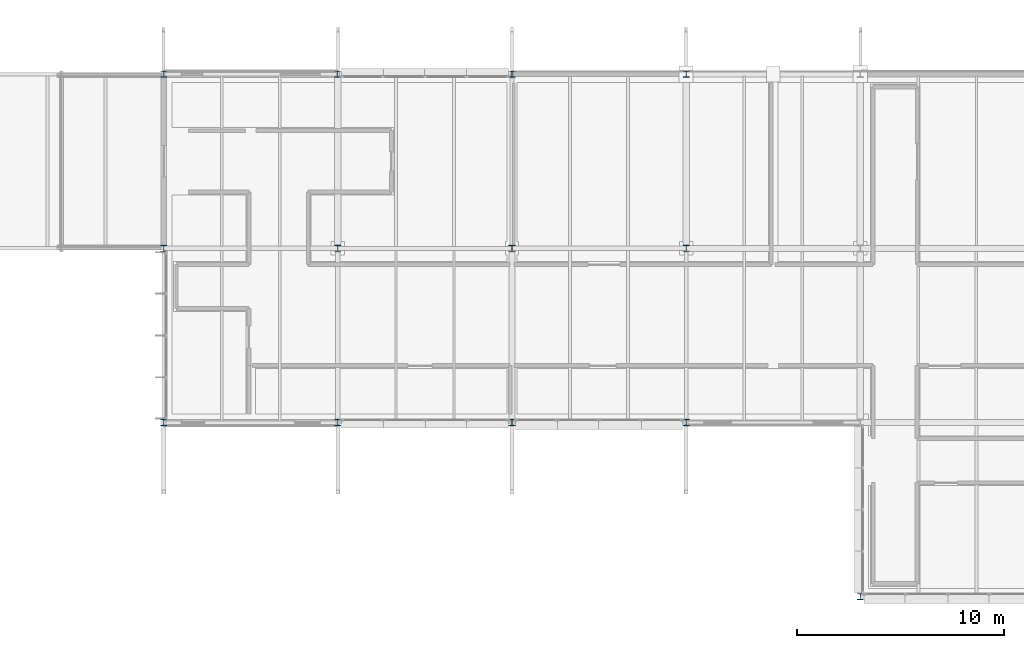
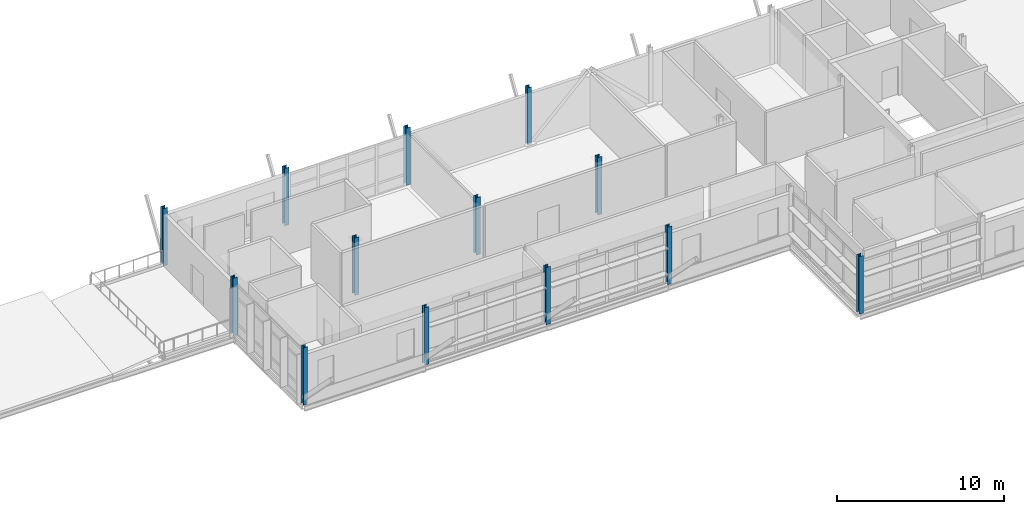
# One storey, part 2 of 35: 13 columns.
"""IFC4 building model written with IfcOpenShell, lengths in metres."""

from ifc_helpers import new_model, si_unit, direction, frame, origin, origin_2d, place, context, subcontext, project, spatial, i_section, extrude, material, material_profile, profile_set, type_object, element, save


model = new_model("IFC4")

# Units and contexts
model_context = context("Model", 3, precision=1e-05, world=origin(), true_north=direction((0.0, 1.0)))
body_context = subcontext(model_context, "Body", "Model", "MODEL_VIEW")
ifc_project = project(units=[si_unit("LENGTHUNIT", "METRE"), si_unit("AREAUNIT", "SQUARE_METRE"), si_unit("VOLUMEUNIT", "CUBIC_METRE"), si_unit("PLANEANGLEUNIT", "RADIAN"), si_unit("MASSUNIT", "GRAM", prefix="KILO")], contexts=[model_context])

# Site, building, storey
site_placement = place(None, origin())
site = spatial("IfcSite", under=ifc_project, at=site_placement, CompositionType="ELEMENT")
building_placement = place(site_placement, origin())
building = spatial("IfcBuilding", under=site, at=building_placement, Name="Mersafa Astral City Hall", CompositionType="ELEMENT")
storey_placement = place(building_placement, frame((0.0, 0.0, 30.14990234375)))
storey = spatial("IfcBuildingStorey", under=building, at=storey_placement, Name="L07", CompositionType="ELEMENT", Elevation=30.14990234375)

# Columns
ifc_material = material(Name="Steel S355", Category="steel")
ifc_material_profile = material_profile(ifc_material, i_section(OverallWidth=0.300048828125, OverallDepth=0.300048828125, WebThickness=0.010986328125, FlangeThickness=0.01904296875, FilletRadius=0.027099609375, at=origin_2d()), Name="HEB 300")
ifc_profile_set = profile_set([ifc_material_profile], Name="Steel S355")
column_type = type_object("IfcColumnType", Name="STR-COL-HEB300", PredefinedType="COLUMN", material=ifc_profile_set)
for number, where, z_axis, x_axis, name in (
    (1, (109.199951171875, 109.199951171875, 0.0), (0.0, 0.0, 1.0), (1.0, 0.0, 0.0), "L07 Structural column G-13-13"),
    (2, (109.199951171875, 117.60009765625, 0.0), (0.0, 0.0, 1.0), (1.0, 0.0, 0.0), "L07 Structural column G-13-14"),
    (3, (109.199951171875, 126.0, 0.0), (0.0, 0.0, 1.0), (1.0, 0.0, 0.0), "L07 Structural column G-13-15"),
    (4, (117.60009765625, 109.199951171875, 0.0), (0.0, 0.0, 1.0), (1.0, 0.0, 0.0), "L07 Structural column G-14-13"),
    (5, (117.60009765625, 117.60009765625, 0.0), (0.0, 0.0, 1.0), (1.0, 0.0, 0.0), "L07 Structural column G-14-14"),
    (6, (117.60009765625, 126.0, 0.0), (0.0, 0.0, 1.0), (1.0, 0.0, 0.0), "L07 Structural column G-14-15"),
    (7, (126.0, 109.199951171875, 0.0), (0.0, 0.0, 1.0), (1.0, 0.0, 0.0), "L07 Structural column G-15-13"),
    (8, (126.0, 117.60009765625, 0.0), (0.0, 0.0, 1.0), (1.0, 0.0, 0.0), "L07 Structural column G-15-14"),
    (9, (126.0, 126.0, 0.0), (0.0, 0.0, 1.0), (1.0, 0.0, 0.0), "L07 Structural column G-15-15"),
    (10, (134.39990234375, 109.199951171875, 0.0), (0.0, 0.0, 1.0), (1.0, 0.0, 0.0), "L07 Structural column G-16-13"),
    (11, (134.39990234375, 117.60009765625, 0.0), (0.0, 0.0, 1.0), (1.0, 0.0, 0.0), "L07 Structural column G-16-14"),
    (12, (134.39990234375, 126.0, 0.0), (0.0, 0.0, 1.0), (1.0, 0.0, 0.0), "L07 Structural column G-16-15"),
    (13, (142.800048828125, 100.800048828125, 0.0), (0.0, 0.0, 1.0), (1.0, 0.0, 0.0), "L07 Structural column G-17-12"),
):
    element("IfcColumn", number, at=place(storey_placement, frame(where, z_axis=z_axis, x_axis=x_axis)), inside=storey, type_object=column_type, Name=name, PredefinedType="COLUMN", context=body_context, shape_type="SweptSolid", body=[
        extrude(i_section(OverallWidth=0.300048828125, OverallDepth=0.300048828125, WebThickness=0.010986328125, FlangeThickness=0.01904296875, FilletRadius=0.027099609375, at=origin_2d()), origin(), (0.0, 0.0, 1.0), 4.2001953125),
    ])

save(model, "model.ifc")
